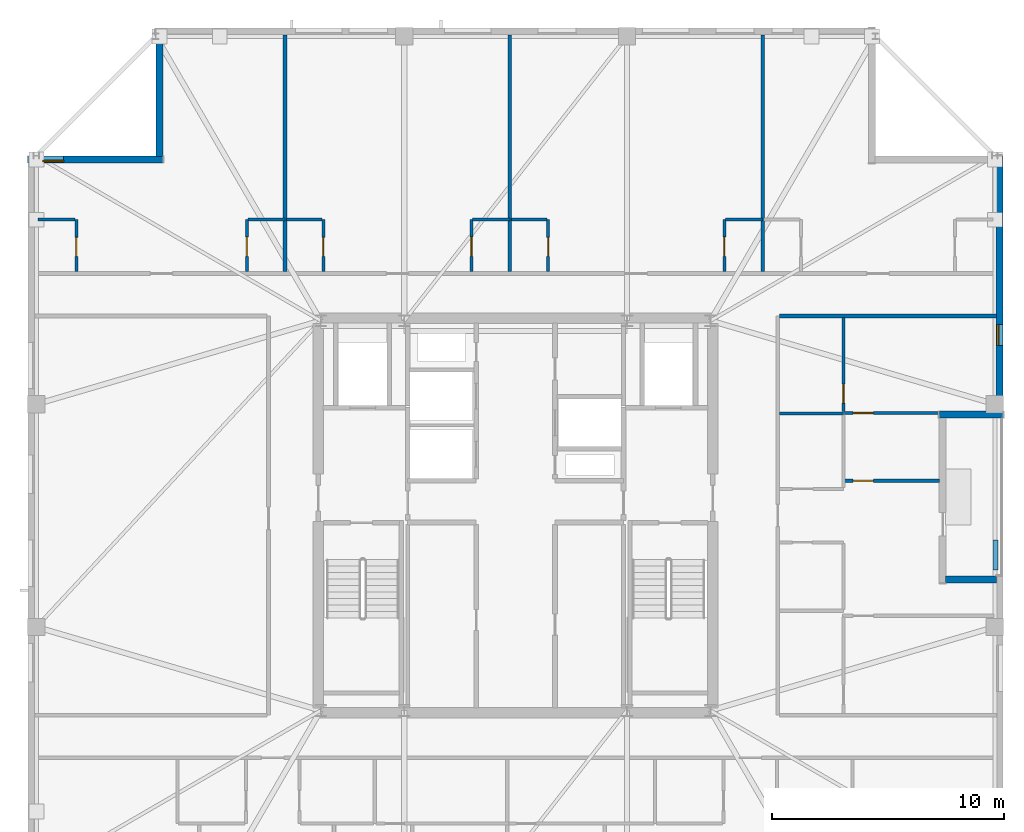
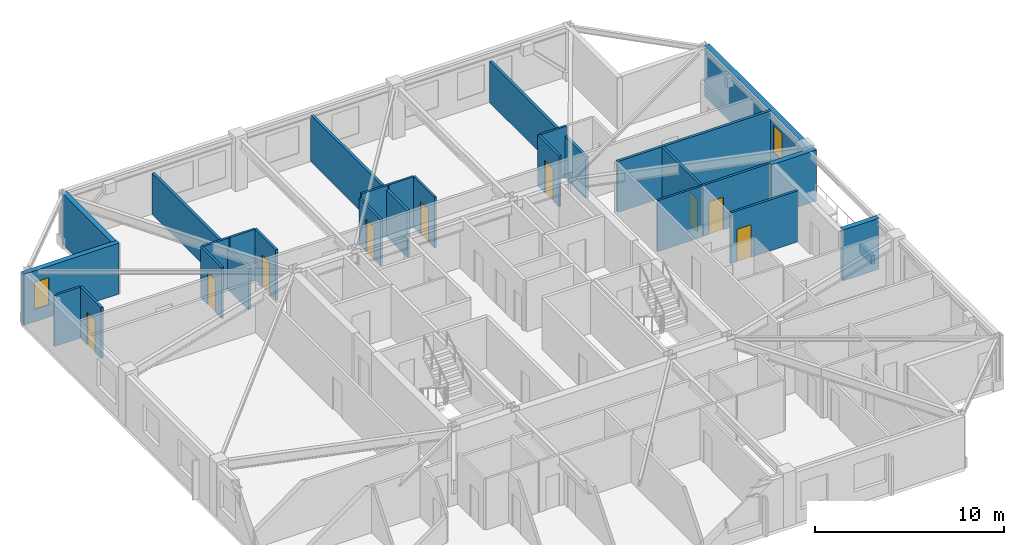
# One storey, part 10 of 14: 26 walls, 9 doors, 2 windows, 11 openings.
"""IFC4 building model written with IfcOpenShell, lengths in metres."""

from ifc_helpers import new_model, si_unit, direction, frame, frame_2d, origin, place, context, subcontext, project, spatial, rectangle, extrude, material, layer, layer_set, type_object, element, fill, save


model = new_model("IFC4")

# Units and contexts
model_context = context("Model", 3, precision=1e-05, world=origin(), true_north=direction((0.0, 1.0)))
body_context = subcontext(model_context, "Body", "Model", "MODEL_VIEW")
ifc_project = project(units=[si_unit("LENGTHUNIT", "METRE"), si_unit("AREAUNIT", "SQUARE_METRE"), si_unit("VOLUMEUNIT", "CUBIC_METRE"), si_unit("PLANEANGLEUNIT", "RADIAN"), si_unit("MASSUNIT", "GRAM", prefix="KILO")], contexts=[model_context])

# Site, building, storey
site_placement = place(None, origin())
site = spatial("IfcSite", under=ifc_project, at=site_placement, CompositionType="ELEMENT")
building_placement = place(site_placement, origin())
building = spatial("IfcBuilding", under=site, at=building_placement, Name="Cairnveth Concourse Tower", CompositionType="ELEMENT")
storey_placement = place(building_placement, frame((0.0, 0.0, 308.5)))
storey = spatial("IfcBuildingStorey", under=building, at=storey_placement, Name="L85", CompositionType="ELEMENT", Elevation=308.5)

# Walls
ifc_material_1 = material(Name="Gypsum Plasterboard Partition", Category="gypsum")
ifc_layer_1 = layer(ifc_material_1, 0.159912109375)
ifc_layer_set_1 = layer_set([ifc_layer_1], Name="Gypsum Plasterboard Partition")
wall_type_1 = type_object("IfcWallType", Name="ACOUSTIC PARTY WALL 180", PredefinedType="PARTITIONING", material=ifc_layer_set_1)
wall_1_placement = place(storey_placement, frame((63.364990234375, 47.60009765625, 0.0), z_axis=(0.0, 0.0, 1.0), x_axis=(1.0, 0.0, 0.0)))
element("IfcWall", 1, at=wall_1_placement, inside=storey, type_object=wall_type_1, Name="Interior Wall IW-L85-040", PredefinedType="PARTITIONING", context=body_context, shape_type="SweptSolid", body=[
    extrude(rectangle(XDim=9.35009765625, YDim=0.159912109375, at=frame_2d((4.675048828125, 0.0))), origin(), (0.0, 0.0, 1.0), 3.2900390625),
])
wall_2_placement = place(storey_placement, frame((42.0673828125, 49.514892578125, 0.0), z_axis=(0.0, 0.0, 1.0), x_axis=(0.0, 1.0, 0.0)))
element("IfcWall", 2, at=wall_2_placement, inside=storey, type_object=wall_type_1, Name="Interior Wall IW-L85-067", PredefinedType="PARTITIONING", context=body_context, shape_type="SweptSolid", body=[
    extrude(rectangle(XDim=10.18505859375, YDim=0.159912109375, at=frame_2d((5.092529296875, 0.0))), origin(), (0.0, 0.0, 1.0), 2.653076171875),
])
wall_3_placement = place(storey_placement, frame((51.75244140625, 49.514892578125, 0.0), z_axis=(0.0, 0.0, 1.0), x_axis=(0.0, 1.0, 0.0)))
element("IfcWall", 3, at=wall_3_placement, inside=storey, type_object=wall_type_1, Name="Interior Wall IW-L85-072", PredefinedType="PARTITIONING", context=body_context, shape_type="SweptSolid", body=[
    extrude(rectangle(XDim=10.18505859375, YDim=0.159912109375, at=frame_2d((5.092529296875, 0.0))), origin(), (0.0, 0.0, 1.0), 3.009033203125),
])
wall_4_placement = place(storey_placement, frame((62.6474609375, 49.514892578125, 0.0), z_axis=(0.0, 0.0, 1.0), x_axis=(0.0, 1.0, 0.0)))
element("IfcWall", 4, at=wall_4_placement, inside=storey, type_object=wall_type_1, Name="Interior Wall IW-L85-077", PredefinedType="PARTITIONING", context=body_context, shape_type="SweptSolid", body=[
    extrude(rectangle(XDim=10.18505859375, YDim=0.159912109375, at=frame_2d((5.092529296875, 0.0))), origin(), (0.0, 0.0, 1.0), 2.653076171875),
])

# Wall, opening, door
ifc_layer_2 = layer(ifc_material_1, 0.139892578125)
ifc_layer_set_2 = layer_set([ifc_layer_2], Name="Gypsum Plasterboard Partition")
wall_type_2 = type_object("IfcWallType", Name="GYPSUM STUD PARTITION 140", PredefinedType="PARTITIONING", material=ifc_layer_set_2)
wall_5_placement = place(storey_placement, frame((66.179931640625, 43.419921875, 0.0), z_axis=(0.0, 0.0, 1.0), x_axis=(1.0, 0.0, 0.0)))
wall_5 = element("IfcWall", 5, at=wall_5_placement, inside=storey, type_object=wall_type_2, Name="Interior Wall IW-L85-090", PredefinedType="PARTITIONING", context=body_context, shape_type="SweptSolid", body=[
    extrude(rectangle(XDim=4.080078125, YDim=0.139892578125, at=frame_2d((2.0400390625, 0.0))), origin(), (0.0, 0.0, 1.0), 3.2900390625),
])
opening_1_placement = place(wall_5_placement, frame((0.360107421875, 0.0, 0.0)))
opening_1 = element("IfcOpeningElement", 6, at=opening_1_placement, cuts=wall_5, Name="Opening ID18", PredefinedType="OPENING", context=body_context, shape_type="SweptSolid", body=[
    extrude(rectangle(XDim=0.8798828125, YDim=2.10009765625, at=frame_2d((0.43994140625, 1.050048828125))), frame((0.0, 0.079833984375, 0.0), z_axis=(0.0, -1.0, 0.0), x_axis=(1.0, 0.0, 0.0)), (0.0, 0.0, 1.0), 0.159912109375),
])
ifc_material_2 = material(Name="Solid Core Hardwood Timber Leaf", Category="wood")
door_type_1 = type_object("IfcDoorType", Name="INTERIOR SINGLE DOOR 880X2100", OperationType="NOTDEFINED", PredefinedType="DOOR", material=ifc_material_2)
door_1_placement = place(opening_1_placement, origin())
door_1 = element("IfcDoor", 7, at=door_1_placement, inside=storey, type_object=door_type_1, Name="L85PE1 Bedroom 2 Door", OperationType="SINGLE_SWING_RIGHT", OverallHeight=2.10009765625, OverallWidth=0.8798828125, PredefinedType="DOOR", context=body_context, shape_type="SweptSolid", body=[
    extrude(rectangle(XDim=0.8798828125, YDim=2.10009765625, at=frame_2d((0.43994140625, 1.050048828125))), frame((0.0, 0.02490234375, 0.0), z_axis=(0.0, -1.0, 0.0), x_axis=(1.0, 0.0, 0.0)), (0.0, 0.0, 1.0), 0.050048828125),
])
fill(opening_1, door_1)

wall_6_placement = place(storey_placement, frame((66.1298828125, 43.47509765625, 0.0), z_axis=(0.0, 0.0, 1.0), x_axis=(0.0, 1.0, 0.0)))
wall_6 = element("IfcWall", 8, at=wall_6_placement, inside=storey, type_object=wall_type_2, Name="Interior Wall IW-L85-091", PredefinedType="PARTITIONING", context=body_context, shape_type="SweptSolid", body=[
    extrude(rectangle(XDim=4.059814453125, YDim=0.139892578125, at=frame_2d((2.02978515625, 0.0))), origin(), (0.0, 0.0, 1.0), 3.2900390625),
])
opening_2_placement = place(wall_6_placement, frame((0.375, 0.0, 0.0)))
opening_2 = element("IfcOpeningElement", 9, at=opening_2_placement, cuts=wall_6, Name="Opening ID22", PredefinedType="OPENING", context=body_context, shape_type="SweptSolid", body=[
    extrude(rectangle(XDim=0.820068359375, YDim=2.10009765625, at=frame_2d((0.41015625, 1.050048828125))), frame((0.0, 0.079833984375, 0.0), z_axis=(0.0, -1.0, 0.0), x_axis=(1.0, 0.0, 0.0)), (0.0, 0.0, 1.0), 0.159912109375),
])
door_type_2 = type_object("IfcDoorType", Name="INTERIOR WC DOOR 820X2100", OperationType="NOTDEFINED", PredefinedType="DOOR", material=ifc_material_2)
door_2_placement = place(opening_2_placement, origin())
door_2 = element("IfcDoor", 10, at=door_2_placement, inside=storey, type_object=door_type_2, Name="L85PE1 Utility Door", OperationType="SINGLE_SWING_LEFT", OverallHeight=2.10009765625, OverallWidth=0.820068359375, PredefinedType="DOOR", context=body_context, shape_type="SweptSolid", body=[
    extrude(rectangle(XDim=0.820068359375, YDim=2.10009765625, at=frame_2d((0.41015625, 1.050048828125))), frame((0.0, 0.02490234375, 0.0), z_axis=(0.0, -1.0, 0.0), x_axis=(1.0, 0.0, 0.0)), (0.0, 0.0, 1.0), 0.050048828125),
])
fill(opening_2, door_2)

wall_7_placement = place(storey_placement, frame((66.179931640625, 40.5, 0.0), z_axis=(0.0, 0.0, 1.0), x_axis=(1.0, 0.0, 0.0)))
wall_7 = element("IfcWall", 11, at=wall_7_placement, inside=storey, type_object=wall_type_2, Name="Interior Wall IW-L85-092", PredefinedType="PARTITIONING", context=body_context, shape_type="SweptSolid", body=[
    extrude(rectangle(XDim=4.0849609375, YDim=0.139892578125, at=frame_2d((2.04248046875, 0.0))), origin(), (0.0, 0.0, 1.0), 3.2900390625),
])
opening_3_placement = place(wall_7_placement, frame((0.360107421875, 0.0, 0.0)))
opening_3 = element("IfcOpeningElement", 12, at=opening_3_placement, cuts=wall_7, Name="Opening ID18", PredefinedType="OPENING", context=body_context, shape_type="SweptSolid", body=[
    extrude(rectangle(XDim=0.8798828125, YDim=2.10009765625, at=frame_2d((0.43994140625, 1.050048828125))), frame((0.0, 0.079833984375, 0.0), z_axis=(0.0, -1.0, 0.0), x_axis=(1.0, 0.0, 0.0)), (0.0, 0.0, 1.0), 0.159912109375),
])
door_3_placement = place(opening_3_placement, origin())
door_3 = element("IfcDoor", 13, at=door_3_placement, inside=storey, type_object=door_type_1, Name="L85PE1 Media Lounge Door", OperationType="SINGLE_SWING_LEFT", OverallHeight=2.10009765625, OverallWidth=0.8798828125, PredefinedType="DOOR", context=body_context, shape_type="SweptSolid", body=[
    extrude(rectangle(XDim=0.8798828125, YDim=2.10009765625, at=frame_2d((0.43994140625, 1.050048828125))), frame((0.0, 0.02490234375, 0.0), z_axis=(0.0, -1.0, 0.0), x_axis=(1.0, 0.0, 0.0)), (0.0, 0.0, 1.0), 0.050048828125),
])
fill(opening_3, door_3)

# Wall
ifc_material_3 = material(Name="Dressed Melbourne Bluestone Cladding", Category="masonry")
ifc_layer_3 = layer(ifc_material_3, 0.219970703125)
ifc_layer_set_3 = layer_set([ifc_layer_3], Name="Dressed Melbourne Bluestone Cladding")
wall_type_3 = type_object("IfcWallType", Name="TERRACE PLANTER CURB WALL 220", PredefinedType="PARAPET", material=ifc_layer_set_3)
wall_8_placement = place(storey_placement, frame((72.679931640625, 36.64990234375, 0.0), z_axis=(0.0, 0.0, 1.0), x_axis=(0.0, 1.0, 0.0)))
element("IfcWall", 14, at=wall_8_placement, inside=storey, type_object=wall_type_3, Name="Exterior Wall PLNT-L85-TERR", PredefinedType="PARAPET", context=body_context, shape_type="SweptSolid", body=[
    extrude(rectangle(XDim=1.300048828125, YDim=0.219970703125, at=frame_2d((0.64990234375, 0.0))), origin(), (0.0, 0.0, 1.0), 0.550048828125),
])

# Wall, opening, door
ifc_layer_4 = layer(ifc_material_1, 0.1298828125)
ifc_layer_set_4 = layer_set([ifc_layer_4], Name="Gypsum Plasterboard Partition")
wall_type_4 = type_object("IfcWallType", Name="WET AREA PARTITION 140", PredefinedType="PLUMBINGWALL", material=ifc_layer_set_4)
wall_9_placement = place(storey_placement, frame((33.070068359375, 49.514892578125, 0.0), z_axis=(0.0, 0.0, 1.0), x_axis=(0.0, 1.0, 0.0)))
wall_9 = element("IfcWall", 15, at=wall_9_placement, inside=storey, type_object=wall_type_4, Name="Interior Wall IW-L85-063", PredefinedType="PLUMBINGWALL", context=body_context, shape_type="SweptSolid", body=[
    extrude(rectangle(XDim=2.25, YDim=0.1298828125, at=frame_2d((1.125, 0.0))), origin(), (0.0, 0.0, 1.0), 3.2900390625),
])
opening_4_placement = place(wall_9_placement, frame((0.64990234375, 0.0, 0.0)))
opening_4 = element("IfcOpeningElement", 16, at=opening_4_placement, cuts=wall_9, Name="Opening ID22", PredefinedType="OPENING", context=body_context, shape_type="SweptSolid", body=[
    extrude(rectangle(XDim=0.820068359375, YDim=2.10009765625, at=frame_2d((0.41015625, 1.050048828125))), frame((0.0, 0.074951171875, 0.0), z_axis=(0.0, -1.0, 0.0), x_axis=(1.0, 0.0, 0.0)), (0.0, 0.0, 1.0), 0.14990234375),
])
door_4_placement = place(opening_4_placement, origin())
door_4 = element("IfcDoor", 17, at=door_4_placement, inside=storey, type_object=door_type_2, Name="L85STN1 Bathroom Door", OperationType="SINGLE_SWING_RIGHT", OverallHeight=2.10009765625, OverallWidth=0.820068359375, PredefinedType="DOOR", context=body_context, shape_type="SweptSolid", body=[
    extrude(rectangle(XDim=0.820068359375, YDim=2.10009765625, at=frame_2d((0.41015625, 1.050048828125))), frame((0.0, 0.02490234375, 0.0), z_axis=(0.0, -1.0, 0.0), x_axis=(1.0, 0.0, 0.0)), (0.0, 0.0, 1.0), 0.050048828125),
])
fill(opening_4, door_4)

# Wall
wall_10_placement = place(storey_placement, frame((31.419921875, 51.764892578125, 0.0), z_axis=(0.0, 0.0, 1.0), x_axis=(1.0, 0.0, 0.0)))
element("IfcWall", 18, at=wall_10_placement, inside=storey, type_object=wall_type_4, Name="Interior Wall IW-L85-064", PredefinedType="PLUMBINGWALL", context=body_context, shape_type="SweptSolid", body=[
    extrude(rectangle(XDim=1.60009765625, YDim=0.1298828125, at=frame_2d((0.800048828125, 0.0))), origin(), (0.0, 0.0, 1.0), 3.2900390625),
])

# Wall, opening, door
wall_11_placement = place(storey_placement, frame((40.41748046875, 49.514892578125, 0.0), z_axis=(0.0, 0.0, 1.0), x_axis=(0.0, 1.0, 0.0)))
wall_11 = element("IfcWall", 19, at=wall_11_placement, inside=storey, type_object=wall_type_4, Name="Interior Wall IW-L85-065", PredefinedType="PLUMBINGWALL", context=body_context, shape_type="SweptSolid", body=[
    extrude(rectangle(XDim=2.25, YDim=0.1298828125, at=frame_2d((1.125, 0.0))), origin(), (0.0, 0.0, 1.0), 3.2900390625),
])
opening_5_placement = place(wall_11_placement, frame((0.64990234375, 0.0, 0.0)))
opening_5 = element("IfcOpeningElement", 20, at=opening_5_placement, cuts=wall_11, Name="Opening ID20", PredefinedType="OPENING", context=body_context, shape_type="SweptSolid", body=[
    extrude(rectangle(XDim=0.85009765625, YDim=2.10009765625, at=frame_2d((0.425048828125, 1.050048828125))), frame((0.0, 0.074951171875, 0.0), z_axis=(0.0, -1.0, 0.0), x_axis=(1.0, 0.0, 0.0)), (0.0, 0.0, 1.0), 0.14990234375),
])
door_type_3 = type_object("IfcDoorType", Name="INTERIOR SINGLE DOOR 850X2100", OperationType="NOTDEFINED", PredefinedType="DOOR", material=ifc_material_2)
door_5_placement = place(opening_5_placement, origin())
door_5 = element("IfcDoor", 21, at=door_5_placement, inside=storey, type_object=door_type_3, Name="L85STN1 Kitchen Door", OperationType="SINGLE_SWING_LEFT", OverallHeight=2.10009765625, OverallWidth=0.85009765625, PredefinedType="DOOR", context=body_context, shape_type="SweptSolid", body=[
    extrude(rectangle(XDim=0.85009765625, YDim=2.10009765625, at=frame_2d((0.425048828125, 1.050048828125))), frame((0.0, 0.02490234375, 0.0), z_axis=(0.0, -1.0, 0.0), x_axis=(1.0, 0.0, 0.0)), (0.0, 0.0, 1.0), 0.050048828125),
])
fill(opening_5, door_5)

# Wall
wall_12_placement = place(storey_placement, frame((40.467529296875, 51.764892578125, 0.0), z_axis=(0.0, 0.0, 1.0), x_axis=(1.0, 0.0, 0.0)))
element("IfcWall", 22, at=wall_12_placement, inside=storey, type_object=wall_type_4, Name="Interior Wall IW-L85-066", PredefinedType="PLUMBINGWALL", context=body_context, shape_type="SweptSolid", body=[
    extrude(rectangle(XDim=1.599853515625, YDim=0.1298828125, at=frame_2d((0.7998046875, 0.0))), origin(), (0.0, 0.0, 1.0), 3.2900390625),
])

# Wall, opening, door
wall_13_placement = place(storey_placement, frame((43.717529296875, 49.514892578125, 0.0), z_axis=(0.0, 0.0, 1.0), x_axis=(0.0, 1.0, 0.0)))
wall_13 = element("IfcWall", 23, at=wall_13_placement, inside=storey, type_object=wall_type_4, Name="Interior Wall IW-L85-068", PredefinedType="PLUMBINGWALL", context=body_context, shape_type="SweptSolid", body=[
    extrude(rectangle(XDim=2.25, YDim=0.1298828125, at=frame_2d((1.125, 0.0))), origin(), (0.0, 0.0, 1.0), 3.2900390625),
])
opening_6_placement = place(wall_13_placement, frame((0.64990234375, 0.0, 0.0)))
opening_6 = element("IfcOpeningElement", 24, at=opening_6_placement, cuts=wall_13, Name="Opening ID22", PredefinedType="OPENING", context=body_context, shape_type="SweptSolid", body=[
    extrude(rectangle(XDim=0.820068359375, YDim=2.10009765625, at=frame_2d((0.41015625, 1.050048828125))), frame((0.0, 0.074951171875, 0.0), z_axis=(0.0, -1.0, 0.0), x_axis=(1.0, 0.0, 0.0)), (0.0, 0.0, 1.0), 0.14990234375),
])
door_6_placement = place(opening_6_placement, origin())
door_6 = element("IfcDoor", 25, at=door_6_placement, inside=storey, type_object=door_type_2, Name="L85STN2 Bathroom Door", OperationType="SINGLE_SWING_LEFT", OverallHeight=2.10009765625, OverallWidth=0.820068359375, PredefinedType="DOOR", context=body_context, shape_type="SweptSolid", body=[
    extrude(rectangle(XDim=0.820068359375, YDim=2.10009765625, at=frame_2d((0.41015625, 1.050048828125))), frame((0.0, 0.02490234375, 0.0), z_axis=(0.0, -1.0, 0.0), x_axis=(1.0, 0.0, 0.0)), (0.0, 0.0, 1.0), 0.050048828125),
])
fill(opening_6, door_6)

# Wall
wall_14_placement = place(storey_placement, frame((42.132568359375, 51.764892578125, 0.0), z_axis=(0.0, 0.0, 1.0), x_axis=(1.0, 0.0, 0.0)))
element("IfcWall", 26, at=wall_14_placement, inside=storey, type_object=wall_type_4, Name="Interior Wall IW-L85-069", PredefinedType="PLUMBINGWALL", context=body_context, shape_type="SweptSolid", body=[
    extrude(rectangle(XDim=1.534912109375, YDim=0.1298828125, at=frame_2d((0.767578125, 0.0))), origin(), (0.0, 0.0, 1.0), 3.2900390625),
])

# Wall, opening, door
wall_15_placement = place(storey_placement, frame((50.1025390625, 49.514892578125, 0.0), z_axis=(0.0, 0.0, 1.0), x_axis=(0.0, 1.0, 0.0)))
wall_15 = element("IfcWall", 27, at=wall_15_placement, inside=storey, type_object=wall_type_4, Name="Interior Wall IW-L85-070", PredefinedType="PLUMBINGWALL", context=body_context, shape_type="SweptSolid", body=[
    extrude(rectangle(XDim=2.25, YDim=0.1298828125, at=frame_2d((1.125, 0.0))), origin(), (0.0, 0.0, 1.0), 3.009033203125),
])
opening_7_placement = place(wall_15_placement, frame((0.64990234375, 0.0, 0.0)))
opening_7 = element("IfcOpeningElement", 28, at=opening_7_placement, cuts=wall_15, Name="Opening ID20", PredefinedType="OPENING", context=body_context, shape_type="SweptSolid", body=[
    extrude(rectangle(XDim=0.85009765625, YDim=2.10009765625, at=frame_2d((0.425048828125, 1.050048828125))), frame((0.0, 0.074951171875, 0.0), z_axis=(0.0, -1.0, 0.0), x_axis=(1.0, 0.0, 0.0)), (0.0, 0.0, 1.0), 0.14990234375),
])
door_7_placement = place(opening_7_placement, origin())
door_7 = element("IfcDoor", 29, at=door_7_placement, inside=storey, type_object=door_type_3, Name="L85STN2 Kitchen Door", OperationType="SINGLE_SWING_RIGHT", OverallHeight=2.10009765625, OverallWidth=0.85009765625, PredefinedType="DOOR", context=body_context, shape_type="SweptSolid", body=[
    extrude(rectangle(XDim=0.85009765625, YDim=2.10009765625, at=frame_2d((0.425048828125, 1.050048828125))), frame((0.0, 0.02490234375, 0.0), z_axis=(0.0, -1.0, 0.0), x_axis=(1.0, 0.0, 0.0)), (0.0, 0.0, 1.0), 0.050048828125),
])
fill(opening_7, door_7)

# Wall
wall_16_placement = place(storey_placement, frame((50.152587890625, 51.764892578125, 0.0), z_axis=(0.0, 0.0, 1.0), x_axis=(1.0, 0.0, 0.0)))
element("IfcWall", 30, at=wall_16_placement, inside=storey, type_object=wall_type_4, Name="Interior Wall IW-L85-071", PredefinedType="PLUMBINGWALL", context=body_context, shape_type="SweptSolid", body=[
    extrude(rectangle(XDim=1.599853515625, YDim=0.1298828125, at=frame_2d((0.7998046875, 0.0))), origin(), (0.0, 0.0, 1.0), 3.2900390625),
])

# Wall, opening, door
wall_17_placement = place(storey_placement, frame((53.402587890625, 49.514892578125, 0.0), z_axis=(0.0, 0.0, 1.0), x_axis=(0.0, 1.0, 0.0)))
wall_17 = element("IfcWall", 31, at=wall_17_placement, inside=storey, type_object=wall_type_4, Name="Interior Wall IW-L85-073", PredefinedType="PLUMBINGWALL", context=body_context, shape_type="SweptSolid", body=[
    extrude(rectangle(XDim=2.25, YDim=0.1298828125, at=frame_2d((1.125, 0.0))), origin(), (0.0, 0.0, 1.0), 3.2900390625),
])
opening_8_placement = place(wall_17_placement, frame((0.64990234375, 0.0, 0.0)))
opening_8 = element("IfcOpeningElement", 32, at=opening_8_placement, cuts=wall_17, Name="Opening ID22", PredefinedType="OPENING", context=body_context, shape_type="SweptSolid", body=[
    extrude(rectangle(XDim=0.820068359375, YDim=2.10009765625, at=frame_2d((0.41015625, 1.050048828125))), frame((0.0, 0.074951171875, 0.0), z_axis=(0.0, -1.0, 0.0), x_axis=(1.0, 0.0, 0.0)), (0.0, 0.0, 1.0), 0.14990234375),
])
door_8_placement = place(opening_8_placement, origin())
door_8 = element("IfcDoor", 33, at=door_8_placement, inside=storey, type_object=door_type_2, Name="L85STN3 Bathroom Door", OperationType="SINGLE_SWING_RIGHT", OverallHeight=2.10009765625, OverallWidth=0.820068359375, PredefinedType="DOOR", context=body_context, shape_type="SweptSolid", body=[
    extrude(rectangle(XDim=0.820068359375, YDim=2.10009765625, at=frame_2d((0.41015625, 1.050048828125))), frame((0.0, 0.02490234375, 0.0), z_axis=(0.0, -1.0, 0.0), x_axis=(1.0, 0.0, 0.0)), (0.0, 0.0, 1.0), 0.050048828125),
])
fill(opening_8, door_8)

# Wall
wall_18_placement = place(storey_placement, frame((51.8173828125, 51.764892578125, 0.0), z_axis=(0.0, 0.0, 1.0), x_axis=(1.0, 0.0, 0.0)))
element("IfcWall", 34, at=wall_18_placement, inside=storey, type_object=wall_type_4, Name="Interior Wall IW-L85-074", PredefinedType="PLUMBINGWALL", context=body_context, shape_type="SweptSolid", body=[
    extrude(rectangle(XDim=1.53515625, YDim=0.1298828125, at=frame_2d((0.767578125, 0.0))), origin(), (0.0, 0.0, 1.0), 3.2900390625),
])

# Wall, opening, door
wall_19_placement = place(storey_placement, frame((60.99755859375, 49.514892578125, 0.0), z_axis=(0.0, 0.0, 1.0), x_axis=(0.0, 1.0, 0.0)))
wall_19 = element("IfcWall", 35, at=wall_19_placement, inside=storey, type_object=wall_type_4, Name="Interior Wall IW-L85-075", PredefinedType="PLUMBINGWALL", context=body_context, shape_type="SweptSolid", body=[
    extrude(rectangle(XDim=2.25, YDim=0.1298828125, at=frame_2d((1.125, 0.0))), origin(), (0.0, 0.0, 1.0), 3.2900390625),
])
opening_9_placement = place(wall_19_placement, frame((0.64990234375, 0.0, 0.0)))
opening_9 = element("IfcOpeningElement", 36, at=opening_9_placement, cuts=wall_19, Name="Opening ID20", PredefinedType="OPENING", context=body_context, shape_type="SweptSolid", body=[
    extrude(rectangle(XDim=0.85009765625, YDim=2.10009765625, at=frame_2d((0.425048828125, 1.050048828125))), frame((0.0, 0.074951171875, 0.0), z_axis=(0.0, -1.0, 0.0), x_axis=(1.0, 0.0, 0.0)), (0.0, 0.0, 1.0), 0.14990234375),
])
door_9_placement = place(opening_9_placement, origin())
door_9 = element("IfcDoor", 37, at=door_9_placement, inside=storey, type_object=door_type_3, Name="L85STN3 Kitchen Door", OperationType="SINGLE_SWING_LEFT", OverallHeight=2.10009765625, OverallWidth=0.85009765625, PredefinedType="DOOR", context=body_context, shape_type="SweptSolid", body=[
    extrude(rectangle(XDim=0.85009765625, YDim=2.10009765625, at=frame_2d((0.425048828125, 1.050048828125))), frame((0.0, 0.02490234375, 0.0), z_axis=(0.0, -1.0, 0.0), x_axis=(1.0, 0.0, 0.0)), (0.0, 0.0, 1.0), 0.050048828125),
])
fill(opening_9, door_9)

# Walls
wall_20_placement = place(storey_placement, frame((61.047607421875, 51.764892578125, 0.0), z_axis=(0.0, 0.0, 1.0), x_axis=(1.0, 0.0, 0.0)))
element("IfcWall", 38, at=wall_20_placement, inside=storey, type_object=wall_type_4, Name="Interior Wall IW-L85-076", PredefinedType="PLUMBINGWALL", context=body_context, shape_type="SweptSolid", body=[
    extrude(rectangle(XDim=1.599853515625, YDim=0.1298828125, at=frame_2d((0.7998046875, 0.0))), origin(), (0.0, 0.0, 1.0), 3.2900390625),
])
wall_21_placement = place(storey_placement, frame((63.3798828125, 43.39990234375, 0.0), z_axis=(0.0, 0.0, 1.0), x_axis=(1.0, 0.0, 0.0)))
element("IfcWall", 39, at=wall_21_placement, inside=storey, type_object=wall_type_4, Name="Interior Wall IW-L85-085", PredefinedType="PLUMBINGWALL", context=body_context, shape_type="SweptSolid", body=[
    extrude(rectangle(XDim=2.75, YDim=0.1298828125, at=frame_2d((1.375, 0.0))), origin(), (0.0, 0.0, 1.0), 3.2900390625),
])

# Wall, opening, window
ifc_material_4 = material(Name="Hawthorn Red-Ochre Fired Clay Brick Masonry", Category="masonry")
ifc_layer_5 = layer(ifc_material_4, 0.300048828125)
ifc_layer_set_5 = layer_set([ifc_layer_5], Name="Hawthorn Red-Ochre Fired Clay Brick Masonry")
wall_type_5 = type_object("IfcWallType", Name="ZONE 4 BRICK PIER SPANDREL WALL 300", PredefinedType="SOLIDWALL", material=ifc_layer_set_5)
wall_22_placement = place(storey_placement, frame((31.0, 54.35009765625, 0.0), z_axis=(0.0, 0.0, 1.0), x_axis=(1.0, 0.0, 0.0)))
wall_22 = element("IfcWall", 40, at=wall_22_placement, inside=storey, type_object=wall_type_5, Name="Exterior Wall EW-L85-S07", PredefinedType="SOLIDWALL", context=body_context, shape_type="SweptSolid", body=[
    extrude(rectangle(XDim=5.800048828125, YDim=0.300048828125, at=frame_2d((2.89990234375, 0.0))), origin(), (0.0, 0.0, 1.0), 3.2900390625),
])
opening_10_placement = place(wall_22_placement, frame((0.6298828125, 0.0, 0.800048828125)))
opening_10 = element("IfcOpeningElement", 41, at=opening_10_placement, cuts=wall_22, Name="Opening W13", PredefinedType="OPENING", context=body_context, shape_type="SweptSolid", body=[
    extrude(rectangle(XDim=0.89990234375, YDim=1.75, at=frame_2d((0.449951171875, 0.875))), frame((0.0, 0.159912109375, 0.0), z_axis=(0.0, -1.0, 0.0), x_axis=(1.0, 0.0, 0.0)), (0.0, 0.0, 1.0), 0.320068359375),
])
ifc_material_5 = material(Name="Double Glazed Low-E Clear Glass", Category="glass")
window_type = type_object("IfcWindowType", Name="DEEP-SET BEDROOM LANCET WINDOW 900X1750", PartitioningType="DOUBLE_PANEL_VERTICAL", PredefinedType="WINDOW", material=ifc_material_5)
window_1_placement = place(opening_10_placement, origin())
window_1 = element("IfcWindow", 42, at=window_1_placement, inside=storey, type_object=window_type, Name="Dwelling Lancet Window L85-DW3", OverallHeight=1.75, OverallWidth=0.89990234375, PartitioningType="SINGLE_PANEL", PredefinedType="WINDOW", context=body_context, shape_type="SweptSolid", body=[
    extrude(rectangle(XDim=0.89990234375, YDim=1.75, at=frame_2d((0.449951171875, 0.875))), frame((0.0, -0.0400390625, 0.0), z_axis=(0.0, -1.0, 0.0), x_axis=(1.0, 0.0, 0.0)), (0.0, 0.0, 1.0), 0.06005859375),
])
fill(opening_10, window_1)

# Wall
wall_23_placement = place(storey_placement, frame((36.64990234375, 54.47802734375, 0.0), z_axis=(0.0, 0.0, 1.0), x_axis=(0.0, 1.0, 0.0)))
element("IfcWall", 43, at=wall_23_placement, inside=storey, type_object=wall_type_5, Name="Exterior Wall EW-L85-S08", PredefinedType="SOLIDWALL", context=body_context, shape_type="SweptSolid", body=[
    extrude(rectangle(XDim=5.243896484375, YDim=0.300048828125, at=frame_2d((2.6220703125, 0.0))), origin(), (0.0, 0.0, 1.0), 3.2900390625),
])

# Wall, opening, window
wall_24_placement = place(storey_placement, frame((72.85009765625, 54.5, 0.0), z_axis=(0.0, 0.0, 1.0), x_axis=(0.0, -1.0, 0.0)))
wall_24 = element("IfcWall", 44, at=wall_24_placement, inside=storey, type_object=wall_type_5, Name="Exterior Wall EW-L85-S12", PredefinedType="SOLIDWALL", context=body_context, shape_type="SweptSolid", body=[
    extrude(rectangle(XDim=11.02197265625, YDim=0.300048828125, at=frame_2d((5.510986328125, 0.0))), origin(), (0.0, 0.0, 1.0), 3.2900390625),
])
opening_11_placement = place(wall_24_placement, frame((7.27001953125, 0.0, 0.800048828125)))
opening_11 = element("IfcOpeningElement", 45, at=opening_11_placement, cuts=wall_24, Name="Opening W13", PredefinedType="OPENING", context=body_context, shape_type="SweptSolid", body=[
    extrude(rectangle(XDim=0.89990234375, YDim=1.75, at=frame_2d((0.449951171875, 0.875))), frame((0.0, 0.159912109375, 0.0), z_axis=(0.0, -1.0, 0.0), x_axis=(1.0, 0.0, 0.0)), (0.0, 0.0, 1.0), 0.320068359375),
])
window_2_placement = place(opening_11_placement, origin())
window_2 = element("IfcWindow", 46, at=window_2_placement, inside=storey, type_object=window_type, Name="Dwelling Lancet Window L85-DW5", OverallHeight=1.75, OverallWidth=0.89990234375, PartitioningType="SINGLE_PANEL", PredefinedType="WINDOW", context=body_context, shape_type="SweptSolid", body=[
    extrude(rectangle(XDim=0.89990234375, YDim=1.75, at=frame_2d((0.449951171875, 0.875))), frame((0.0, -0.0400390625, 0.0), z_axis=(0.0, -1.0, 0.0), x_axis=(1.0, 0.0, 0.0)), (0.0, 0.0, 1.0), 0.06005859375),
])
fill(opening_11, window_2)

# Walls
wall_25_placement = place(storey_placement, frame((73.0, 43.35009765625, 0.0), z_axis=(0.0, 0.0, 1.0), x_axis=(-1.0, 0.0, 0.0)))
element("IfcWall", 47, at=wall_25_placement, inside=storey, type_object=wall_type_5, Name="Exterior Wall EW-L85-S13", PredefinedType="SOLIDWALL", context=body_context, shape_type="SweptSolid", body=[
    extrude(rectangle(XDim=2.75, YDim=0.300048828125, at=frame_2d((1.375, 0.0))), origin(), (0.0, 0.0, 1.0), 3.2900390625),
])
wall_26_placement = place(storey_placement, frame((70.528076171875, 36.25, 0.0), z_axis=(0.0, 0.0, 1.0), x_axis=(1.0, 0.0, 0.0)))
element("IfcWall", 48, at=wall_26_placement, inside=storey, type_object=wall_type_5, Name="Exterior Wall EW-L85-S15", PredefinedType="SOLIDWALL", context=body_context, shape_type="SweptSolid", body=[
    extrude(rectangle(XDim=2.19384765625, YDim=0.300048828125, at=frame_2d((1.096923828125, 0.0))), origin(), (0.0, 0.0, 1.0), 3.2900390625),
])

save(model, "model.ifc")
